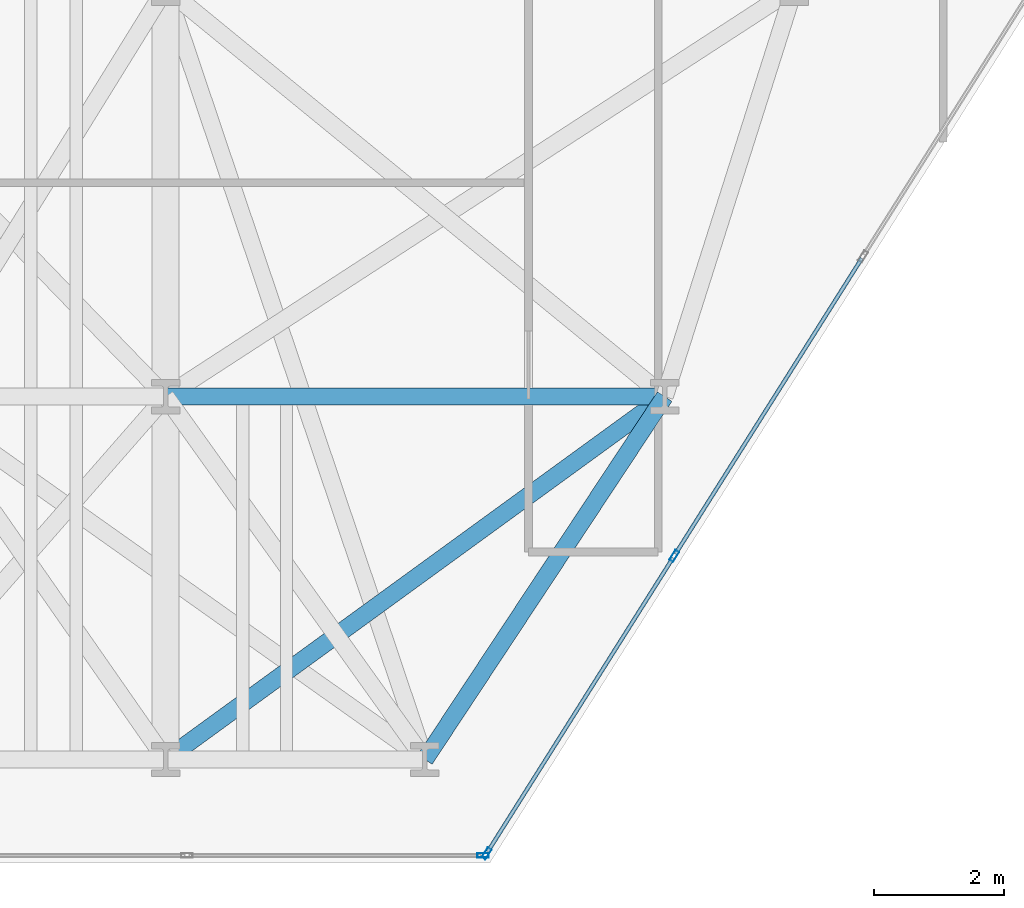
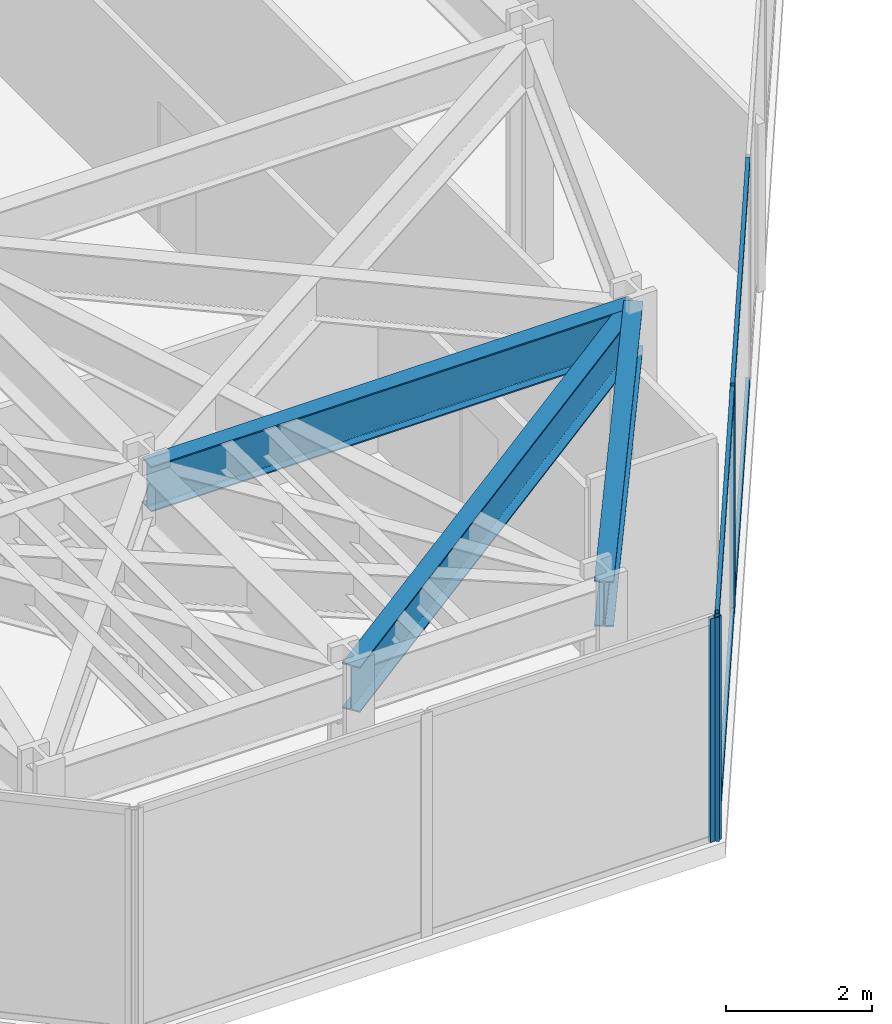
# One storey, part 5 of 25: 7 members, 3 beams, 2 elements without a shape of their own.
"""IFC4 building model written with IfcOpenShell, lengths in metres."""

from ifc_helpers import new_model, si_unit, direction, frame, origin, origin_2d, place, context, subcontext, project, spatial, hollow_rectangle, i_section, extrude, material, layer, layer_set, material_profile, profile_set, type_object, element, aggregate, save


model = new_model("IFC4")

# Units and contexts
model_context = context("Model", 3, precision=1e-05, world=origin(), true_north=direction((0.0, 1.0)))
body_context = subcontext(model_context, "Body", "Model", "MODEL_VIEW")
ifc_project = project(units=[si_unit("LENGTHUNIT", "METRE"), si_unit("AREAUNIT", "SQUARE_METRE"), si_unit("VOLUMEUNIT", "CUBIC_METRE"), si_unit("PLANEANGLEUNIT", "RADIAN"), si_unit("MASSUNIT", "GRAM", prefix="KILO")], contexts=[model_context])

# Site, building, storey
site_placement = place(None, origin())
site = spatial("IfcSite", under=ifc_project, at=site_placement, CompositionType="ELEMENT")
building_placement = place(site_placement, origin())
building = spatial("IfcBuilding", under=site, at=building_placement, Name="Kravanh Interchange Tower", CompositionType="ELEMENT")
storey_placement = place(building_placement, frame((0.0, 0.0, 49.5)))
storey = spatial("IfcBuildingStorey", under=building, at=storey_placement, Name="L11", CompositionType="ELEMENT", Elevation=49.5)

# Curtain wall, members
ifc_material_1 = material(Name="Anodised Bronze Aluminium", Category="aluminium")
ifc_layer = layer(ifc_material_1, 0.179931640625)
ifc_layer_set = layer_set([ifc_layer], Name="Unitised Curtain Wall System CW-Z1 Lower Office")
curtain_wall_type = type_object("IfcCurtainWallType", Name="Unitised Curtain Wall System CW-Z1 Lower Office", PredefinedType="NOTDEFINED", material=ifc_layer_set)
curtain_wall_1_placement = place(storey_placement, origin())
curtain_wall_1 = element("IfcCurtainWall", 1, at=curtain_wall_1_placement, inside=storey, type_object=curtain_wall_type, Name="L11 Unitised Curtain Wall CW-L11-05", PredefinedType="NOTDEFINED")
ifc_material_2 = material(Name="Anodised Bronze Aluminium", Category="aluminium")
ifc_material_profile_1 = material_profile(ifc_material_2, hollow_rectangle(XDim=0.070068359375, YDim=0.179931640625, WallThickness=0.00390625, at=origin_2d()), Name="ALU70X180X4")
ifc_profile_set_1 = profile_set([ifc_material_profile_1], Name="Anodised Bronze Aluminium")
member_type_1 = type_object("IfcMemberType", Name="Curtain Wall Mullion ALU70X180X4 Bronze", PredefinedType="MULLION", material=ifc_profile_set_1)
member_1_placement = place(storey_placement, frame((25.346923828125, 5.740966796875, 0.0), z_axis=(0.0, 0.0, 1.0), x_axis=(0.845925530786, -0.53330103728, 0.0)))
member_1 = element("IfcMember", 2, at=member_1_placement, type_object=member_type_1, Name="CW-Z1 mullion 5", PredefinedType="MULLION", context=body_context, shape_type="SweptSolid", body=[
    extrude(hollow_rectangle(XDim=0.070068359375, YDim=0.179931640625, WallThickness=0.00390625, at=origin_2d()), origin(), (0.0, 0.0, 1.0), 3.739990234375),
])
member_2_placement = place(storey_placement, frame((22.452392578125, 1.149658203125, 0.0), z_axis=(0.0, 0.0, 1.0), x_axis=(0.845925530786, -0.53330103728, 0.0)))
member_2 = element("IfcMember", 3, at=member_2_placement, type_object=member_type_1, Name="CW-Z1 mullion 6", PredefinedType="MULLION", context=body_context, shape_type="SweptSolid", body=[
    extrude(hollow_rectangle(XDim=0.070068359375, YDim=0.179931640625, WallThickness=0.00390625, at=origin_2d()), origin(), (0.0, 0.0, 1.0), 3.739990234375),
])

# Curtain wall, member
curtain_wall_2_placement = place(storey_placement, origin())
curtain_wall_2 = element("IfcCurtainWall", 4, at=curtain_wall_2_placement, inside=storey, type_object=curtain_wall_type, Name="L11 Unitised Curtain Wall CW-L11-06", PredefinedType="NOTDEFINED")
member_3_placement = place(storey_placement, frame((22.398681640625, 1.1201171875, 0.0), z_axis=(0.0, 0.0, 1.0), x_axis=(0.0, -1.0, 0.0)))
member_3 = element("IfcMember", 5, at=member_3_placement, type_object=member_type_1, Name="CW-Z1 mullion 1", PredefinedType="MULLION", context=body_context, shape_type="SweptSolid", body=[
    extrude(hollow_rectangle(XDim=0.070068359375, YDim=0.179931640625, WallThickness=0.00390625, at=origin_2d()), origin(), (0.0, 0.0, 1.0), 3.739990234375),
])
aggregate(curtain_wall_2, [member_3])

# Member
ifc_material_3 = material(Name="Anodised Bronze Aluminium", Category="aluminium")
ifc_material_profile_2 = material_profile(ifc_material_3, hollow_rectangle(XDim=0.06005859375, YDim=0.139892578125, WallThickness=0.00390625, at=origin_2d()), Name="ALU60X140X4")
ifc_profile_set_2 = profile_set([ifc_material_profile_2], Name="Anodised Bronze Aluminium")
member_type_2 = type_object("IfcMemberType", Name="Curtain Wall Transom ALU60X140X4 Bronze", PredefinedType="USERDEFINED", material=ifc_profile_set_2)
member_4_placement = place(storey_placement, frame((28.24169921875, 10.332275390625, 0.030029296875), z_axis=(-0.533311487456, -0.84591894254, 0.0), x_axis=(0.84591894254, -0.533311487456, 0.0)))
member_4 = element("IfcMember", 6, at=member_4_placement, type_object=member_type_2, Name="CW-Z1 transom 4.1", ObjectType="TRANSOM", PredefinedType="USERDEFINED", context=body_context, shape_type="SweptSolid", body=[
    extrude(hollow_rectangle(XDim=0.06005859375, YDim=0.139892578125, WallThickness=0.00390625, at=origin_2d()), origin(), (0.0, 0.0, 1.0), 5.392578125),
])

member_5_placement = place(storey_placement, frame((28.24169921875, 10.332275390625, 3.7099609375), z_axis=(-0.533311487456, -0.84591894254, 0.0), x_axis=(0.84591894254, -0.533311487456, 0.0)))
member_5 = element("IfcMember", 7, at=member_5_placement, type_object=member_type_2, Name="CW-Z1 transom 4.2", ObjectType="TRANSOM", PredefinedType="USERDEFINED", context=body_context, shape_type="SweptSolid", body=[
    extrude(hollow_rectangle(XDim=0.06005859375, YDim=0.139892578125, WallThickness=0.00390625, at=origin_2d()), origin(), (0.0, 0.0, 1.0), 5.392578125),
])

member_6_placement = place(storey_placement, frame((25.328369140625, 5.71142578125, 0.030029296875), z_axis=(-0.533288163518, -0.845933646719, 0.0), x_axis=(0.845933646719, -0.533288163518, 0.0)))
member_6 = element("IfcMember", 8, at=member_6_placement, type_object=member_type_2, Name="CW-Z1 transom 5.1", ObjectType="TRANSOM", PredefinedType="USERDEFINED", context=body_context, shape_type="SweptSolid", body=[
    extrude(hollow_rectangle(XDim=0.06005859375, YDim=0.139892578125, WallThickness=0.00390625, at=origin_2d()), origin(), (0.0, 0.0, 1.0), 5.357666015625),
])

member_7_placement = place(storey_placement, frame((25.328369140625, 5.71142578125, 3.7099609375), z_axis=(-0.533288163518, -0.845933646719, 0.0), x_axis=(0.845933646719, -0.533288163518, 0.0)))
member_7 = element("IfcMember", 9, at=member_7_placement, type_object=member_type_2, Name="CW-Z1 transom 5.2", ObjectType="TRANSOM", PredefinedType="USERDEFINED", context=body_context, shape_type="SweptSolid", body=[
    extrude(hollow_rectangle(XDim=0.06005859375, YDim=0.139892578125, WallThickness=0.00390625, at=origin_2d()), origin(), (0.0, 0.0, 1.0), 5.357666015625),
])

aggregate(curtain_wall_1, [member_1, member_2, member_4, member_5, member_6, member_7])

# Beams
ifc_material_4 = material(Name="Structural Steel S355", Category="steel")
ifc_material_profile_3 = material_profile(ifc_material_4, i_section(OverallWidth=0.26708984375, OverallDepth=0.761962890625, WebThickness=0.014404296875, FlangeThickness=0.021484375, FilletRadius=0.02490234375, at=origin_2d()), Name="W30X116")
ifc_profile_set_3 = profile_set([ifc_material_profile_3], Name="Structural Steel S355")
beam_type = type_object("IfcBeamType", Name="Floor Spandrel W30X116 Structural Steel S355", PredefinedType="SPANDREL", material=ifc_profile_set_3)
beam_1_placement = place(storey_placement, frame((17.5, 2.60009765625, 3.35888671875), z_axis=(0.808741628611, 0.588164074176, 0.0), x_axis=(-0.588164074176, 0.808741628611, 0.0)))
element("IfcBeam", 10, at=beam_1_placement, inside=storey, type_object=beam_type, Name="L11 Perimeter Spandrel 105", PredefinedType="SPANDREL", context=body_context, shape_type="SweptSolid", body=[
    extrude(i_section(OverallWidth=0.26708984375, OverallDepth=0.761962890625, WebThickness=0.014404296875, FlangeThickness=0.021484375, FilletRadius=0.02490234375, at=origin_2d()), origin(), (0.0, 0.0, 1.0), 9.52099609375),
])
beam_2_placement = place(storey_placement, frame((21.5, 2.60009765625, 3.35888671875), z_axis=(0.551262239226, 0.834332034386, 0.0), x_axis=(-0.834332034386, 0.551262239226, 0.0)))
element("IfcBeam", 11, at=beam_2_placement, inside=storey, type_object=beam_type, Name="L11 Perimeter Spandrel 121", PredefinedType="SPANDREL", context=body_context, shape_type="SweptSolid", body=[
    extrude(i_section(OverallWidth=0.26708984375, OverallDepth=0.761962890625, WebThickness=0.014404296875, FlangeThickness=0.021484375, FilletRadius=0.02490234375, at=origin_2d()), origin(), (0.0, 0.0, 1.0), 6.711669921875),
])
beam_3_placement = place(storey_placement, frame((17.5, 8.199951171875, 3.35888671875), z_axis=(1.0, 0.0, 0.0), x_axis=(0.0, 1.0, 0.0)))
element("IfcBeam", 12, at=beam_3_placement, inside=storey, type_object=beam_type, Name="L11 Perimeter Spandrel 137", PredefinedType="SPANDREL", context=body_context, shape_type="SweptSolid", body=[
    extrude(i_section(OverallWidth=0.26708984375, OverallDepth=0.761962890625, WebThickness=0.014404296875, FlangeThickness=0.021484375, FilletRadius=0.02490234375, at=origin_2d()), origin(), (0.0, 0.0, 1.0), 7.699951171875),
])

save(model, "model.ifc")
